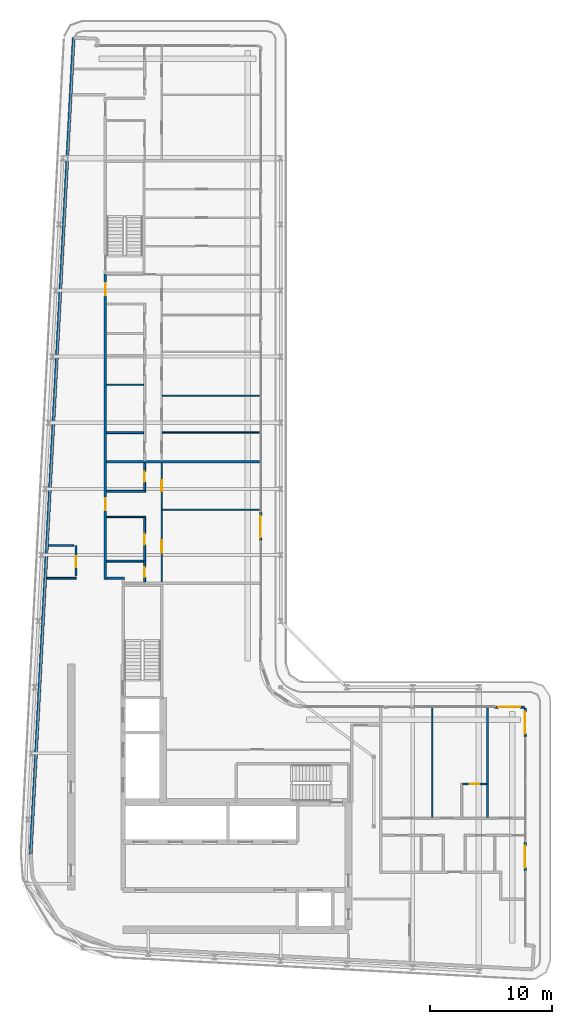
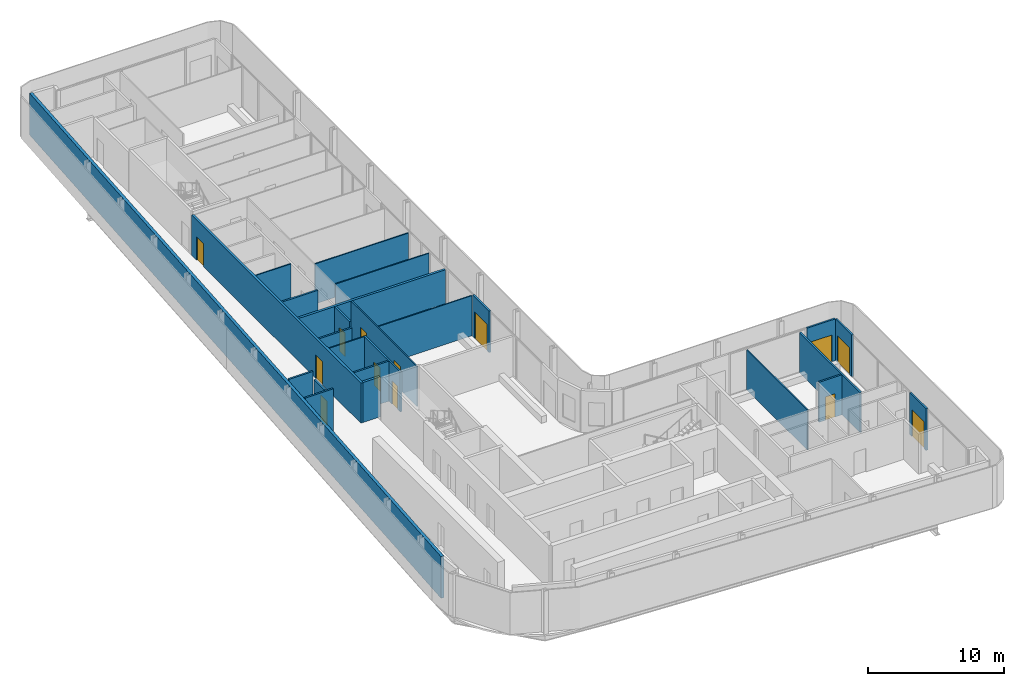
# One storey, part 13 of 21: 25 walls, 13 doors, 13 openings.
"""IFC4 building model written with IfcOpenShell, lengths in metres."""

from ifc_helpers import new_model, si_unit, direction, frame, frame_2d, origin, place, context, subcontext, project, spatial, rectangle, extrude, source, transform, mapped, material, layer, layer_set, type_object, element, fill, save


model = new_model("IFC4")

# Units and contexts
model_context = context("Model", 3, precision=1e-05, world=origin(), true_north=direction((0.0, 1.0)))
body_context = subcontext(model_context, "Body", "Model", "MODEL_VIEW")
ifc_project = project(units=[si_unit("LENGTHUNIT", "METRE"), si_unit("AREAUNIT", "SQUARE_METRE"), si_unit("VOLUMEUNIT", "CUBIC_METRE"), si_unit("PLANEANGLEUNIT", "RADIAN"), si_unit("MASSUNIT", "GRAM", prefix="KILO")], contexts=[model_context])

# Site, building, storey
site_placement = place(None, origin())
site = spatial("IfcSite", under=ifc_project, at=site_placement, CompositionType="ELEMENT")
building_placement = place(site_placement, origin())
building = spatial("IfcBuilding", under=site, at=building_placement, Name="Kheshtan School and Residences Tower", CompositionType="ELEMENT")
storey_placement = place(building_placement, frame((0.0, 0.0, 294.199951171875)))
storey = spatial("IfcBuildingStorey", under=building, at=storey_placement, Name="L69", CompositionType="ELEMENT", Elevation=294.199951171875)

# Wall, openings, doors
ifc_material_1 = material(Name="Gypsum board on steel studs with fire boards", Category="steel")
ifc_layer_1 = layer(ifc_material_1, 0.199951171875)
ifc_layer_set_1 = layer_set([ifc_layer_1], Name="Corridor wall 200")
wall_type_1 = type_object("IfcWallType", Name="Corridor wall 200", PredefinedType="PARTITIONING", material=ifc_layer_set_1)
wall_1_placement = place(storey_placement, frame((33.300048828125, 54.39990234375, 0.0), z_axis=(0.0, 0.0, 1.0), x_axis=(0.0, 1.0, 0.0)))
wall_1 = element("IfcWall", 1, at=wall_1_placement, inside=storey, type_object=wall_type_1, Name="Partition L69-003", PredefinedType="PARTITIONING", context=body_context, shape_type="SweptSolid", body=[
    extrude(rectangle(XDim=24.9501953125, YDim=0.199951171875, at=frame_2d((12.47509765625, 0.0))), origin(), (0.0, 0.0, 1.0), 3.60009765625),
])
opening_1_placement = place(wall_1_placement, frame((5.64990234375, 0.0, 0.0)))
opening_1 = element("IfcOpeningElement", 2, at=opening_1_placement, cuts=wall_1, Name="Opening D68-012", PredefinedType="OPENING", context=body_context, shape_type="SweptSolid", body=[
    extrude(rectangle(XDim=1.0, YDim=2.10009765625, at=frame_2d((0.5, 1.050048828125))), frame((0.0, 0.10986328125, 0.0), z_axis=(0.0, -1.0, 0.0), x_axis=(1.0, 0.0, 0.0)), (0.0, 0.0, 1.0), 0.219970703125),
])
opening_2_placement = place(wall_1_placement, frame((23.199951171875, 0.0, 0.0)))
opening_2 = element("IfcOpeningElement", 3, at=opening_2_placement, cuts=wall_1, Name="Opening D68-021", PredefinedType="OPENING", context=body_context, shape_type="SweptSolid", body=[
    extrude(rectangle(XDim=1.0, YDim=2.10009765625, at=frame_2d((0.5, 1.050048828125))), frame((0.0, 0.10986328125, 0.0), z_axis=(0.0, -1.0, 0.0), x_axis=(1.0, 0.0, 0.0)), (0.0, 0.0, 1.0), 0.219970703125),
])
ifc_material_2 = material(Name="Steel-framed fire-resisting door leaf", Category="steel")
door_type_1 = type_object("IfcDoorType", Name="Fire door FD30S 1000 x 2100", OperationType="SINGLE_SWING_LEFT", PredefinedType="DOOR", material=ifc_material_2)
shared_shape_1 = source(origin(), body_context, "Body", "SweptSolid", [
    extrude(rectangle(XDim=1.0, YDim=2.10009765625, at=frame_2d((0.5, 1.050048828125))), frame((0.0, 0.02490234375, 0.0), z_axis=(0.0, -1.0, 0.0), x_axis=(1.0, 0.0, 0.0)), (0.0, 0.0, 1.0), 0.050048828125),
])
door_1_placement = place(opening_1_placement, origin())
door_1 = element("IfcDoor", 4, at=door_1_placement, inside=storey, type_object=door_type_1, Name="Door D68-012", OperationType="SINGLE_SWING_LEFT", OverallHeight=2.10009765625, OverallWidth=1.0, PredefinedType="DOOR", context=body_context, shape_type="MappedRepresentation", body=[
    mapped(shared_shape_1, transform((0.0, 0.0, 0.0), x_axis=(1.0, 0.0, 0.0), y_axis=(0.0, 1.0, 0.0), z_axis=(0.0, 0.0, 1.0), scale=1.0)),
])
fill(opening_1, door_1)
door_2_placement = place(opening_2_placement, origin())
door_2 = element("IfcDoor", 5, at=door_2_placement, inside=storey, type_object=door_type_1, Name="Door D68-021", OperationType="SINGLE_SWING_LEFT", OverallHeight=2.10009765625, OverallWidth=1.0, PredefinedType="DOOR", context=body_context, shape_type="MappedRepresentation", body=[
    mapped(shared_shape_1, transform((0.0, 0.0, 0.0), x_axis=(1.0, 0.0, 0.0), y_axis=(0.0, 1.0, 0.0), z_axis=(0.0, 0.0, 1.0), scale=1.0)),
])
fill(opening_2, door_2)

# Walls
wall_2_placement = place(storey_placement, frame((33.39990234375, 54.5, 0.0), z_axis=(0.0, 0.0, 1.0), x_axis=(1.0, 0.0, 0.0)))
element("IfcWall", 6, at=wall_2_placement, inside=storey, type_object=wall_type_1, Name="Partition L69-005", PredefinedType="PARTITIONING", context=body_context, shape_type="SweptSolid", body=[
    extrude(rectangle(XDim=1.4501953125, YDim=0.199951171875, at=frame_2d((0.72509765625, 0.0))), origin(), (0.0, 0.0, 1.0), 3.60009765625),
])
ifc_material_3 = material(Name="Concrete C40/50 with ceramic cladding and mineral wool insulation", Category="concrete")
ifc_layer_2 = layer(ifc_material_3, 0.25)
ifc_layer_set_2 = layer_set([ifc_layer_2], Name="External wall 250 ceramic clad")
wall_type_2 = type_object("IfcWallType", Name="External wall 250 ceramic clad", PredefinedType="SOLIDWALL", material=ifc_layer_set_2)
wall_3_placement = place(storey_placement, frame((27.195068359375, 31.968994140625, 0.0), z_axis=(0.0, 0.0, 1.0), x_axis=(0.052554995867, 0.998618031286, 0.0)))
element("IfcWall", 7, at=wall_3_placement, inside=storey, type_object=wall_type_2, Name="External wall L69 4", PredefinedType="SOLIDWALL", context=body_context, shape_type="SweptSolid", body=[
    extrude(rectangle(XDim=66.787353515625, YDim=0.25, at=frame_2d((33.3935546875, 0.0))), origin(), (0.0, 0.0, 1.0), 3.75),
])

# Wall, opening, door
ifc_material_4 = material(Name="Aluminium frame wall with insulated infill", Category="aluminium")
ifc_layer_3 = layer(ifc_material_4, 0.14990234375)
ifc_layer_set_3 = layer_set([ifc_layer_3], Name="Glazing frame wall 150")
wall_type_3 = type_object("IfcWallType", Name="Glazing frame wall 150", PredefinedType="SOLIDWALL", material=ifc_layer_set_3)
wall_4_placement = place(storey_placement, frame((45.97509765625, 59.924072265625, 0.0), z_axis=(0.0, 0.0, 1.0), x_axis=(0.0, -1.0, 0.0)))
wall_4 = element("IfcWall", 8, at=wall_4_placement, inside=storey, type_object=wall_type_3, Name="Balcony door wall L69 8.4", PredefinedType="SOLIDWALL", context=body_context, shape_type="SweptSolid", body=[
    extrude(rectangle(XDim=2.400146484375, YDim=0.14990234375, at=frame_2d((1.2001953125, 0.0))), origin(), (0.0, 0.0, 1.0), 3.75),
])
opening_3_placement = place(wall_4_placement, frame((0.300048828125, 0.0, 0.0)))
opening_3 = element("IfcOpeningElement", 9, at=opening_3_placement, cuts=wall_4, Name="Opening BD", PredefinedType="OPENING", context=body_context, shape_type="SweptSolid", body=[
    extrude(rectangle(XDim=1.800048828125, YDim=2.39990234375, at=frame_2d((0.89990234375, 1.199951171875))), frame((0.0, 0.0849609375, 0.0), z_axis=(0.0, -1.0, 0.0), x_axis=(1.0, 0.0, 0.0)), (0.0, 0.0, 1.0), 0.169921875),
])
ifc_material_5 = material(Name="Clear low-e glass in thermally broken aluminium frame", Category="aluminium")
door_type_2 = type_object("IfcDoorType", Name="Balcony sliding door", OperationType="SLIDING_TO_LEFT", PredefinedType="DOOR", material=ifc_material_5)
shared_shape_2 = source(origin(), body_context, "Body", "SweptSolid", [
    extrude(rectangle(XDim=1.800048828125, YDim=2.39990234375, at=frame_2d((0.89990234375, 1.199951171875))), frame((0.0, 0.02490234375, 0.0), z_axis=(0.0, -1.0, 0.0), x_axis=(1.0, 0.0, 0.0)), (0.0, 0.0, 1.0), 0.050048828125),
])
door_3_placement = place(opening_3_placement, origin())
door_3 = element("IfcDoor", 10, at=door_3_placement, inside=storey, type_object=door_type_2, Name="Balcony door L69 8.4", OperationType="SLIDING_TO_LEFT", OverallHeight=2.39990234375, OverallWidth=1.800048828125, PredefinedType="DOOR", context=body_context, shape_type="MappedRepresentation", body=[
    mapped(shared_shape_2, transform((0.0, 0.0, 0.0), x_axis=(1.0, 0.0, 0.0), y_axis=(0.0, 1.0, 0.0), z_axis=(0.0, 0.0, 1.0), scale=1.0)),
])
fill(opening_3, door_3)

wall_5_placement = place(storey_placement, frame((65.10009765625, 43.97509765625, 0.0), z_axis=(0.0, 0.0, 1.0), x_axis=(1.0, 0.0, 0.0)))
wall_5 = element("IfcWall", 11, at=wall_5_placement, inside=storey, type_object=wall_type_3, Name="Balcony door wall L69 12.2", PredefinedType="SOLIDWALL", context=body_context, shape_type="SweptSolid", body=[
    extrude(rectangle(XDim=2.39990234375, YDim=0.14990234375, at=frame_2d((1.199951171875, 0.0))), origin(), (0.0, 0.0, 1.0), 3.75),
])
opening_4_placement = place(wall_5_placement, frame((0.300048828125, 0.0, 0.0)))
opening_4 = element("IfcOpeningElement", 12, at=opening_4_placement, cuts=wall_5, Name="Opening BD", PredefinedType="OPENING", context=body_context, shape_type="SweptSolid", body=[
    extrude(rectangle(XDim=1.800048828125, YDim=2.39990234375, at=frame_2d((0.89990234375, 1.199951171875))), frame((0.0, 0.0849609375, 0.0), z_axis=(0.0, -1.0, 0.0), x_axis=(1.0, 0.0, 0.0)), (0.0, 0.0, 1.0), 0.169921875),
])
door_4_placement = place(opening_4_placement, origin())
door_4 = element("IfcDoor", 13, at=door_4_placement, inside=storey, type_object=door_type_2, Name="Balcony door L69 12.2", OperationType="SLIDING_TO_LEFT", OverallHeight=2.39990234375, OverallWidth=1.800048828125, PredefinedType="DOOR", context=body_context, shape_type="MappedRepresentation", body=[
    mapped(shared_shape_2, transform((0.0, 0.0, 0.0), x_axis=(1.0, 0.0, 0.0), y_axis=(0.0, 1.0, 0.0), z_axis=(0.0, 0.0, 1.0), scale=1.0)),
])
fill(opening_4, door_4)

wall_6_placement = place(storey_placement, frame((67.574951171875, 43.89990234375, 0.0), z_axis=(0.0, 0.0, 1.0), x_axis=(0.0, -1.0, 0.0)))
wall_6 = element("IfcWall", 14, at=wall_6_placement, inside=storey, type_object=wall_type_3, Name="Balcony door wall L69 13.1", PredefinedType="SOLIDWALL", context=body_context, shape_type="SweptSolid", body=[
    extrude(rectangle(XDim=2.39990234375, YDim=0.14990234375, at=frame_2d((1.199951171875, 0.0))), origin(), (0.0, 0.0, 1.0), 3.75),
])
opening_5_placement = place(wall_6_placement, frame((0.300048828125, 0.0, 0.0)))
opening_5 = element("IfcOpeningElement", 15, at=opening_5_placement, cuts=wall_6, Name="Opening BD", PredefinedType="OPENING", context=body_context, shape_type="SweptSolid", body=[
    extrude(rectangle(XDim=1.800048828125, YDim=2.39990234375, at=frame_2d((0.89990234375, 1.199951171875))), frame((0.0, 0.0849609375, 0.0), z_axis=(0.0, -1.0, 0.0), x_axis=(1.0, 0.0, 0.0)), (0.0, 0.0, 1.0), 0.169921875),
])
door_5_placement = place(opening_5_placement, origin())
door_5 = element("IfcDoor", 16, at=door_5_placement, inside=storey, type_object=door_type_2, Name="Balcony door L69 13.1", OperationType="SLIDING_TO_LEFT", OverallHeight=2.39990234375, OverallWidth=1.800048828125, PredefinedType="DOOR", context=body_context, shape_type="MappedRepresentation", body=[
    mapped(shared_shape_2, transform((0.0, 0.0, 0.0), x_axis=(1.0, 0.0, 0.0), y_axis=(0.0, 1.0, 0.0), z_axis=(0.0, 0.0, 1.0), scale=1.0)),
])
fill(opening_5, door_5)

wall_7_placement = place(storey_placement, frame((67.574951171875, 32.958984375, 0.0), z_axis=(0.0, 0.0, 1.0), x_axis=(0.0, -1.0, 0.0)))
wall_7 = element("IfcWall", 17, at=wall_7_placement, inside=storey, type_object=wall_type_3, Name="Balcony door wall L69 13.2", PredefinedType="SOLIDWALL", context=body_context, shape_type="SweptSolid", body=[
    extrude(rectangle(XDim=2.39990234375, YDim=0.14990234375, at=frame_2d((1.199951171875, 0.0))), origin(), (0.0, 0.0, 1.0), 3.75),
])
opening_6_placement = place(wall_7_placement, frame((0.300048828125, 0.0, 0.0)))
opening_6 = element("IfcOpeningElement", 18, at=opening_6_placement, cuts=wall_7, Name="Opening BD", PredefinedType="OPENING", context=body_context, shape_type="SweptSolid", body=[
    extrude(rectangle(XDim=1.800048828125, YDim=2.39990234375, at=frame_2d((0.89990234375, 1.199951171875))), frame((0.0, 0.0849609375, 0.0), z_axis=(0.0, -1.0, 0.0), x_axis=(1.0, 0.0, 0.0)), (0.0, 0.0, 1.0), 0.169921875),
])
door_6_placement = place(opening_6_placement, origin())
door_6 = element("IfcDoor", 19, at=door_6_placement, inside=storey, type_object=door_type_2, Name="Balcony door L69 13.2", OperationType="SLIDING_TO_LEFT", OverallHeight=2.39990234375, OverallWidth=1.800048828125, PredefinedType="DOOR", context=body_context, shape_type="MappedRepresentation", body=[
    mapped(shared_shape_2, transform((0.0, 0.0, 0.0), x_axis=(1.0, 0.0, 0.0), y_axis=(0.0, 1.0, 0.0), z_axis=(0.0, 0.0, 1.0), scale=1.0)),
])
fill(opening_6, door_6)

# Walls
ifc_material_6 = material(Name="Gypsum board on steel studs", Category="steel")
ifc_layer_4 = layer(ifc_material_6, 0.10009765625)
ifc_layer_set_4 = layer_set([ifc_layer_4], Name="Gypsum partition 100")
wall_type_4 = type_object("IfcWallType", Name="Gypsum partition 100", PredefinedType="PARTITIONING", material=ifc_layer_set_4)
for number, where, z_axis, x_axis, name in (
    (20, (33.39990234375, 59.5, 0.0), (0.0, 0.0, 1.0), (1.0, 0.0, 0.0), "Partition L69-007"),
    (21, (33.39990234375, 70.300048828125, 0.0), (0.0, 0.0, 1.0), (1.0, 0.0, 0.0), "Partition L69-011"),
):
    element("IfcWall", number, at=place(storey_placement, frame(where, z_axis=z_axis, x_axis=x_axis)), inside=storey, type_object=wall_type_4, Name=name, PredefinedType="PARTITIONING", context=body_context, shape_type="SweptSolid", body=[
        extrude(rectangle(XDim=3.025146484375, YDim=0.10009765625, at=frame_2d((1.5126953125, 0.0))), origin(), (0.0, 0.0, 1.0), 3.60009765625),
    ])

# Wall, openings, doors
wall_8_placement = place(storey_placement, frame((37.89990234375, 54.199951171875, 0.0), z_axis=(0.0, 0.0, 1.0), x_axis=(0.0, 1.0, 0.0)))
wall_8 = element("IfcWall", 22, at=wall_8_placement, inside=storey, type_object=wall_type_4, Name="Partition L69-030", PredefinedType="PARTITIONING", context=body_context, shape_type="SweptSolid", body=[
    extrude(rectangle(XDim=9.699951171875, YDim=0.10009765625, at=frame_2d((4.85009765625, 0.0))), origin(), (0.0, 0.0, 1.0), 3.60009765625),
])
opening_7_placement = place(wall_8_placement, frame((7.39990234375, 0.0, 0.0)))
opening_7 = element("IfcOpeningElement", 23, at=opening_7_placement, cuts=wall_8, Name="Opening D68-011", PredefinedType="OPENING", context=body_context, shape_type="SweptSolid", body=[
    extrude(rectangle(XDim=0.89990234375, YDim=2.10009765625, at=frame_2d((0.449951171875, 1.050048828125))), frame((0.0, 0.06005859375, 0.0), z_axis=(0.0, -1.0, 0.0), x_axis=(1.0, 0.0, 0.0)), (0.0, 0.0, 1.0), 0.1201171875),
])
opening_8_placement = place(wall_8_placement, frame((2.39990234375, 0.0, 0.0)))
opening_8 = element("IfcOpeningElement", 24, at=opening_8_placement, cuts=wall_8, Name="Opening D68-014", PredefinedType="OPENING", context=body_context, shape_type="SweptSolid", body=[
    extrude(rectangle(XDim=1.0, YDim=2.10009765625, at=frame_2d((0.5, 1.050048828125))), frame((0.0, 0.06005859375, 0.0), z_axis=(0.0, -1.0, 0.0), x_axis=(1.0, 0.0, 0.0)), (0.0, 0.0, 1.0), 0.1201171875),
])
ifc_material_7 = material(Name="Veneered timber door leaf", Category="wood")
door_type_3 = type_object("IfcDoorType", Name="Door 1000 x 2100", OperationType="SINGLE_SWING_LEFT", PredefinedType="DOOR", material=ifc_material_7)
shared_shape_3 = source(origin(), body_context, "Body", "SweptSolid", [
    extrude(rectangle(XDim=1.0, YDim=2.10009765625, at=frame_2d((0.5, 1.050048828125))), frame((0.0, 0.02490234375, 0.0), z_axis=(0.0, -1.0, 0.0), x_axis=(1.0, 0.0, 0.0)), (0.0, 0.0, 1.0), 0.050048828125),
])
door_7_placement = place(opening_8_placement, origin())
door_7 = element("IfcDoor", 25, at=door_7_placement, inside=storey, type_object=door_type_3, Name="Door D68-014", OperationType="SINGLE_SWING_RIGHT", OverallHeight=2.10009765625, OverallWidth=1.0, PredefinedType="DOOR", context=body_context, shape_type="MappedRepresentation", body=[
    mapped(shared_shape_3, transform((0.0, 0.0, 0.0), x_axis=(1.0, 0.0, 0.0), y_axis=(0.0, 1.0, 0.0), z_axis=(0.0, 0.0, 1.0), scale=1.0)),
])
fill(opening_8, door_7)
door_type_4 = type_object("IfcDoorType", Name="Door 900 x 2100", OperationType="SINGLE_SWING_LEFT", PredefinedType="DOOR", material=ifc_material_7)
shared_shape_4 = source(origin(), body_context, "Body", "SweptSolid", [
    extrude(rectangle(XDim=0.89990234375, YDim=2.10009765625, at=frame_2d((0.449951171875, 1.050048828125))), frame((0.0, 0.02490234375, 0.0), z_axis=(0.0, -1.0, 0.0), x_axis=(1.0, 0.0, 0.0)), (0.0, 0.0, 1.0), 0.050048828125),
])
door_8_placement = place(opening_7_placement, origin())
door_8 = element("IfcDoor", 26, at=door_8_placement, inside=storey, type_object=door_type_4, Name="Door D68-011", OperationType="SINGLE_SWING_RIGHT", OverallHeight=2.10009765625, OverallWidth=0.89990234375, PredefinedType="DOOR", context=body_context, shape_type="MappedRepresentation", body=[
    mapped(shared_shape_4, transform((0.0, 0.0, 0.0), x_axis=(1.0, 0.0, 0.0), y_axis=(0.0, 1.0, 0.0), z_axis=(0.0, 0.0, 1.0), scale=1.0)),
])
fill(opening_7, door_8)

# Walls
for number, where, z_axis, x_axis, name in (
    (27, (37.949951171875, 60.10009765625, 0.0), (0.0, 0.0, 1.0), (1.0, 0.0, 0.0), "Partition L69-033"),
    (28, (37.949951171875, 66.39990234375, 0.0), (0.0, 0.0, 1.0), (1.0, 0.0, 0.0), "Partition L69-034"),
    (29, (37.949951171875, 69.39990234375, 0.0), (0.0, 0.0, 1.0), (1.0, 0.0, 0.0), "Partition L69-035"),
):
    element("IfcWall", number, at=place(storey_placement, frame(where, z_axis=z_axis, x_axis=x_axis)), inside=storey, type_object=wall_type_4, Name=name, PredefinedType="PARTITIONING", context=body_context, shape_type="SweptSolid", body=[
        extrude(rectangle(XDim=7.949951171875, YDim=0.10009765625, at=frame_2d((3.97509765625, 0.0))), origin(), (0.0, 0.0, 1.0), 3.60009765625),
    ])
wall_9_placement = place(storey_placement, frame((60.0, 34.97509765625, 0.0), z_axis=(0.0, 0.0, 1.0), x_axis=(0.0, 1.0, 0.0)))
element("IfcWall", 30, at=wall_9_placement, inside=storey, type_object=wall_type_4, Name="Partition L69-047", PredefinedType="PARTITIONING", context=body_context, shape_type="SweptSolid", body=[
    extrude(rectangle(XDim=8.9248046875, YDim=0.10009765625, at=frame_2d((4.46240234375, 0.0))), origin(), (0.0, 0.0, 1.0), 3.60009765625),
])
ifc_material_8 = material(Name="Fire-board shaft wall system")
ifc_layer_5 = layer(ifc_material_8, 0.14990234375)
ifc_layer_set_5 = layer_set([ifc_layer_5], Name="Service room wall 150")
wall_type_5 = type_object("IfcWallType", Name="Service room wall 150", PredefinedType="PARTITIONING", material=ifc_layer_set_5)
wall_10_placement = place(storey_placement, frame((28.508056640625, 54.5, 0.0), z_axis=(0.0, 0.0, 1.0), x_axis=(1.0, 0.0, 0.0)))
element("IfcWall", 31, at=wall_10_placement, inside=storey, type_object=wall_type_5, Name="Service room wall", PredefinedType="PARTITIONING", context=body_context, shape_type="SweptSolid", body=[
    extrude(rectangle(XDim=2.391845703125, YDim=0.14990234375, at=frame_2d((1.19580078125, 0.0))), origin(), (0.0, 0.0, 1.0), 3.900146484375),
])

# Wall, opening, door
wall_11_placement = place(storey_placement, frame((30.89990234375, 54.695068359375, 0.0), z_axis=(0.0, 0.0, 1.0), x_axis=(0.0, 1.0, 0.0)))
wall_11 = element("IfcWall", 32, at=wall_11_placement, inside=storey, type_object=wall_type_5, Name="Service room wall", PredefinedType="PARTITIONING", context=body_context, shape_type="SweptSolid", body=[
    extrude(rectangle(XDim=2.48681640625, YDim=0.14990234375, at=frame_2d((1.243408203125, 0.0))), origin(), (0.0, 0.0, 1.0), 3.072021484375),
])
opening_9_placement = place(wall_11_placement, frame((0.696044921875, 0.0, 0.0)))
opening_9 = element("IfcOpeningElement", 33, at=opening_9_placement, cuts=wall_11, Name="Opening SR90", PredefinedType="OPENING", context=body_context, shape_type="SweptSolid", body=[
    extrude(rectangle(XDim=0.89990234375, YDim=2.199951171875, at=frame_2d((0.449951171875, 1.10009765625))), frame((0.0, 0.0849609375, 0.0), z_axis=(0.0, -1.0, 0.0), x_axis=(1.0, 0.0, 0.0)), (0.0, 0.0, 1.0), 0.169921875),
])
ifc_material_9 = material(Name="Steel door leaf, galvanised", Category="steel")
door_type_5 = type_object("IfcDoorType", Name="Service room door 900 steel 90 min", OperationType="SINGLE_SWING_LEFT", PredefinedType="DOOR", material=ifc_material_9)
shared_shape_5 = source(origin(), body_context, "Body", "SweptSolid", [
    extrude(rectangle(XDim=0.89990234375, YDim=2.199951171875, at=frame_2d((0.449951171875, 1.10009765625))), frame((0.0, 0.02490234375, 0.0), z_axis=(0.0, -1.0, 0.0), x_axis=(1.0, 0.0, 0.0)), (0.0, 0.0, 1.0), 0.050048828125),
])
door_9_placement = place(opening_9_placement, origin())
door_9 = element("IfcDoor", 34, at=door_9_placement, inside=storey, type_object=door_type_5, Name="Service room door", OperationType="SINGLE_SWING_LEFT", OverallHeight=2.199951171875, OverallWidth=0.89990234375, PredefinedType="DOOR", context=body_context, shape_type="MappedRepresentation", body=[
    mapped(shared_shape_5, transform((0.0, 0.0, 0.0), x_axis=(1.0, 0.0, 0.0), y_axis=(0.0, 1.0, 0.0), z_axis=(0.0, 0.0, 1.0), scale=1.0)),
])
fill(opening_9, door_9)

# Walls
wall_12_placement = place(storey_placement, frame((28.64892578125, 57.181884765625, 0.0), z_axis=(0.0, 0.0, 1.0), x_axis=(1.0, 0.0, 0.0)))
element("IfcWall", 35, at=wall_12_placement, inside=storey, type_object=wall_type_5, Name="Service room wall", PredefinedType="PARTITIONING", context=body_context, shape_type="SweptSolid", body=[
    extrude(rectangle(XDim=2.05615234375, YDim=0.14990234375, at=frame_2d((1.028076171875, 0.0))), origin(), (0.0, 0.0, 1.0), 3.900146484375),
])
ifc_material_10 = material(Name="Twin gypsum board on steel studs with mineral wool", Category="steel")
ifc_layer_6 = layer(ifc_material_10, 0.199951171875)
ifc_layer_set_6 = layer_set([ifc_layer_6], Name="Unit demising wall 200")
wall_type_6 = type_object("IfcWallType", Name="Unit demising wall 200", PredefinedType="PARTITIONING", material=ifc_layer_set_6)
wall_13_placement = place(storey_placement, frame((33.39990234375, 64.0, 0.0), z_axis=(0.0, 0.0, 1.0), x_axis=(1.0, 0.0, 0.0)))
element("IfcWall", 36, at=wall_13_placement, inside=storey, type_object=wall_type_6, Name="Partition L69-009", PredefinedType="PARTITIONING", context=body_context, shape_type="SweptSolid", body=[
    extrude(rectangle(XDim=12.5, YDim=0.199951171875, at=frame_2d((6.25, 0.0))), origin(), (0.0, 0.0, 1.0), 3.60009765625),
])
ifc_material_11 = material(Name="Moisture-resistant gypsum board on steel studs", Category="steel")
ifc_layer_7 = layer(ifc_material_11, 0.14990234375)
ifc_layer_set_7 = layer_set([ifc_layer_7], Name="Wet-room partition 150")
wall_type_7 = type_object("IfcWallType", Name="Wet-room partition 150", PredefinedType="PARTITIONING", material=ifc_layer_set_7)
wall_14_placement = place(storey_placement, frame((33.39990234375, 55.89990234375, 0.0), z_axis=(0.0, 0.0, 1.0), x_axis=(1.0, 0.0, 0.0)))
element("IfcWall", 37, at=wall_14_placement, inside=storey, type_object=wall_type_7, Name="Partition L69-006", PredefinedType="PARTITIONING", context=body_context, shape_type="SweptSolid", body=[
    extrude(rectangle(XDim=3.025146484375, YDim=0.14990234375, at=frame_2d((1.5126953125, 0.0))), origin(), (0.0, 0.0, 1.0), 3.60009765625),
])
wall_15_placement = place(storey_placement, frame((33.39990234375, 61.60009765625, 0.0), z_axis=(0.0, 0.0, 1.0), x_axis=(1.0, 0.0, 0.0)))
element("IfcWall", 38, at=wall_15_placement, inside=storey, type_object=wall_type_7, Name="Partition L69-008", PredefinedType="PARTITIONING", context=body_context, shape_type="SweptSolid", body=[
    extrude(rectangle(XDim=3.175048828125, YDim=0.14990234375, at=frame_2d((1.58740234375, 0.0))), origin(), (0.0, 0.0, 1.0), 3.072021484375),
])
wall_16_placement = place(storey_placement, frame((33.39990234375, 66.39990234375, 0.0), z_axis=(0.0, 0.0, 1.0), x_axis=(1.0, 0.0, 0.0)))
element("IfcWall", 39, at=wall_16_placement, inside=storey, type_object=wall_type_7, Name="Partition L69-010", PredefinedType="PARTITIONING", context=body_context, shape_type="SweptSolid", body=[
    extrude(rectangle(XDim=3.025146484375, YDim=0.14990234375, at=frame_2d((1.5126953125, 0.0))), origin(), (0.0, 0.0, 1.0), 3.60009765625),
])

# Wall, openings, doors
wall_17_placement = place(storey_placement, frame((36.5, 54.199951171875, 0.0), z_axis=(0.0, 0.0, 1.0), x_axis=(0.0, 1.0, 0.0)))
wall_17 = element("IfcWall", 40, at=wall_17_placement, inside=storey, type_object=wall_type_7, Name="Partition L69-022", PredefinedType="PARTITIONING", context=body_context, shape_type="SweptSolid", body=[
    extrude(rectangle(XDim=5.35009765625, YDim=0.14990234375, at=frame_2d((2.675048828125, 0.0))), origin(), (0.0, 0.0, 1.0), 3.60009765625),
])
opening_10_placement = place(wall_17_placement, frame((3.050048828125, 0.0, 0.0)))
opening_10 = element("IfcOpeningElement", 41, at=opening_10_placement, cuts=wall_17, Name="Opening D68-013", PredefinedType="OPENING", context=body_context, shape_type="SweptSolid", body=[
    extrude(rectangle(XDim=0.89990234375, YDim=2.10009765625, at=frame_2d((0.449951171875, 1.050048828125))), frame((0.0, 0.0849609375, 0.0), z_axis=(0.0, -1.0, 0.0), x_axis=(1.0, 0.0, 0.0)), (0.0, 0.0, 1.0), 0.169921875),
])
opening_11_placement = place(wall_17_placement, frame((0.39990234375, 0.0, 0.0)))
opening_11 = element("IfcOpeningElement", 42, at=opening_11_placement, cuts=wall_17, Name="Opening D68-015", PredefinedType="OPENING", context=body_context, shape_type="SweptSolid", body=[
    extrude(rectangle(XDim=0.800048828125, YDim=2.10009765625, at=frame_2d((0.39990234375, 1.050048828125))), frame((0.0, 0.0849609375, 0.0), z_axis=(0.0, -1.0, 0.0), x_axis=(1.0, 0.0, 0.0)), (0.0, 0.0, 1.0), 0.169921875),
])
door_type_6 = type_object("IfcDoorType", Name="Door 800 x 2100", OperationType="SINGLE_SWING_LEFT", PredefinedType="DOOR", material=ifc_material_7)
shared_shape_6 = source(origin(), body_context, "Body", "SweptSolid", [
    extrude(rectangle(XDim=0.800048828125, YDim=2.10009765625, at=frame_2d((0.39990234375, 1.050048828125))), frame((0.0, 0.02490234375, 0.0), z_axis=(0.0, -1.0, 0.0), x_axis=(1.0, 0.0, 0.0)), (0.0, 0.0, 1.0), 0.050048828125),
])
door_10_placement = place(opening_11_placement, origin())
door_10 = element("IfcDoor", 43, at=door_10_placement, inside=storey, type_object=door_type_6, Name="Door D68-015", OperationType="SINGLE_SWING_RIGHT", OverallHeight=2.10009765625, OverallWidth=0.800048828125, PredefinedType="DOOR", context=body_context, shape_type="MappedRepresentation", body=[
    mapped(shared_shape_6, transform((0.0, 0.0, 0.0), x_axis=(1.0, 0.0, 0.0), y_axis=(0.0, 1.0, 0.0), z_axis=(0.0, 0.0, 1.0), scale=1.0)),
])
fill(opening_11, door_10)
door_11_placement = place(opening_10_placement, origin())
door_11 = element("IfcDoor", 44, at=door_11_placement, inside=storey, type_object=door_type_4, Name="Door D68-013", OperationType="SINGLE_SWING_RIGHT", OverallHeight=2.10009765625, OverallWidth=0.89990234375, PredefinedType="DOOR", context=body_context, shape_type="MappedRepresentation", body=[
    mapped(shared_shape_4, transform((0.0, 0.0, 0.0), x_axis=(1.0, 0.0, 0.0), y_axis=(0.0, 1.0, 0.0), z_axis=(0.0, 0.0, 1.0), scale=1.0)),
])
fill(opening_10, door_11)

# Wall, opening, door
wall_18_placement = place(storey_placement, frame((36.5, 61.675048828125, 0.0), z_axis=(0.0, 0.0, 1.0), x_axis=(0.0, 1.0, 0.0)))
wall_18 = element("IfcWall", 45, at=wall_18_placement, inside=storey, type_object=wall_type_7, Name="Partition L69-023", PredefinedType="PARTITIONING", context=body_context, shape_type="SweptSolid", body=[
    extrude(rectangle(XDim=2.224853515625, YDim=0.14990234375, at=frame_2d((1.1123046875, 0.0))), origin(), (0.0, 0.0, 1.0), 3.60009765625),
])
opening_12_placement = place(wall_18_placement, frame((0.72509765625, 0.0, 0.0)))
opening_12 = element("IfcOpeningElement", 46, at=opening_12_placement, cuts=wall_18, Name="Opening D68-010", PredefinedType="OPENING", context=body_context, shape_type="SweptSolid", body=[
    extrude(rectangle(XDim=0.800048828125, YDim=2.10009765625, at=frame_2d((0.39990234375, 1.050048828125))), frame((0.0, 0.0849609375, 0.0), z_axis=(0.0, -1.0, 0.0), x_axis=(1.0, 0.0, 0.0)), (0.0, 0.0, 1.0), 0.169921875),
])
door_12_placement = place(opening_12_placement, origin())
door_12 = element("IfcDoor", 47, at=door_12_placement, inside=storey, type_object=door_type_6, Name="Door D68-010", OperationType="SINGLE_SWING_LEFT", OverallHeight=2.10009765625, OverallWidth=0.800048828125, PredefinedType="DOOR", context=body_context, shape_type="MappedRepresentation", body=[
    mapped(shared_shape_6, transform((0.0, 0.0, 0.0), x_axis=(1.0, 0.0, 0.0), y_axis=(0.0, 1.0, 0.0), z_axis=(0.0, 0.0, 1.0), scale=1.0)),
])
fill(opening_12, door_12)

wall_19_placement = place(storey_placement, frame((62.47509765625, 37.699951171875, 0.0), z_axis=(0.0, 0.0, 1.0), x_axis=(1.0, 0.0, 0.0)))
wall_19 = element("IfcWall", 48, at=wall_19_placement, inside=storey, type_object=wall_type_7, Name="Partition L69-050", PredefinedType="PARTITIONING", context=body_context, shape_type="SweptSolid", body=[
    extrude(rectangle(XDim=1.949951171875, YDim=0.14990234375, at=frame_2d((0.97509765625, 0.0))), origin(), (0.0, 0.0, 1.0), 3.60009765625),
])
opening_13_placement = place(wall_19_placement, frame((0.574951171875, 0.0, 0.0)))
opening_13 = element("IfcOpeningElement", 49, at=opening_13_placement, cuts=wall_19, Name="Opening D68-004", PredefinedType="OPENING", context=body_context, shape_type="SweptSolid", body=[
    extrude(rectangle(XDim=0.800048828125, YDim=2.10009765625, at=frame_2d((0.39990234375, 1.050048828125))), frame((0.0, 0.0849609375, 0.0), z_axis=(0.0, -1.0, 0.0), x_axis=(1.0, 0.0, 0.0)), (0.0, 0.0, 1.0), 0.169921875),
])
door_13_placement = place(opening_13_placement, origin())
door_13 = element("IfcDoor", 50, at=door_13_placement, inside=storey, type_object=door_type_6, Name="Door D68-004", OperationType="SINGLE_SWING_LEFT", OverallHeight=2.10009765625, OverallWidth=0.800048828125, PredefinedType="DOOR", context=body_context, shape_type="MappedRepresentation", body=[
    mapped(shared_shape_6, transform((0.0, 0.0, 0.0), x_axis=(1.0, 0.0, 0.0), y_axis=(0.0, 1.0, 0.0), z_axis=(0.0, 0.0, 1.0), scale=1.0)),
])
fill(opening_13, door_13)

# Wall
wall_20_placement = place(storey_placement, frame((64.5, 34.97509765625, 0.0), z_axis=(0.0, 0.0, 1.0), x_axis=(0.0, 1.0, 0.0)))
element("IfcWall", 51, at=wall_20_placement, inside=storey, type_object=wall_type_7, Name="Partition L69-053", PredefinedType="PARTITIONING", context=body_context, shape_type="SweptSolid", body=[
    extrude(rectangle(XDim=8.9248046875, YDim=0.14990234375, at=frame_2d((4.46240234375, 0.0))), origin(), (0.0, 0.0, 1.0), 3.60009765625),
])

save(model, "model.ifc")
